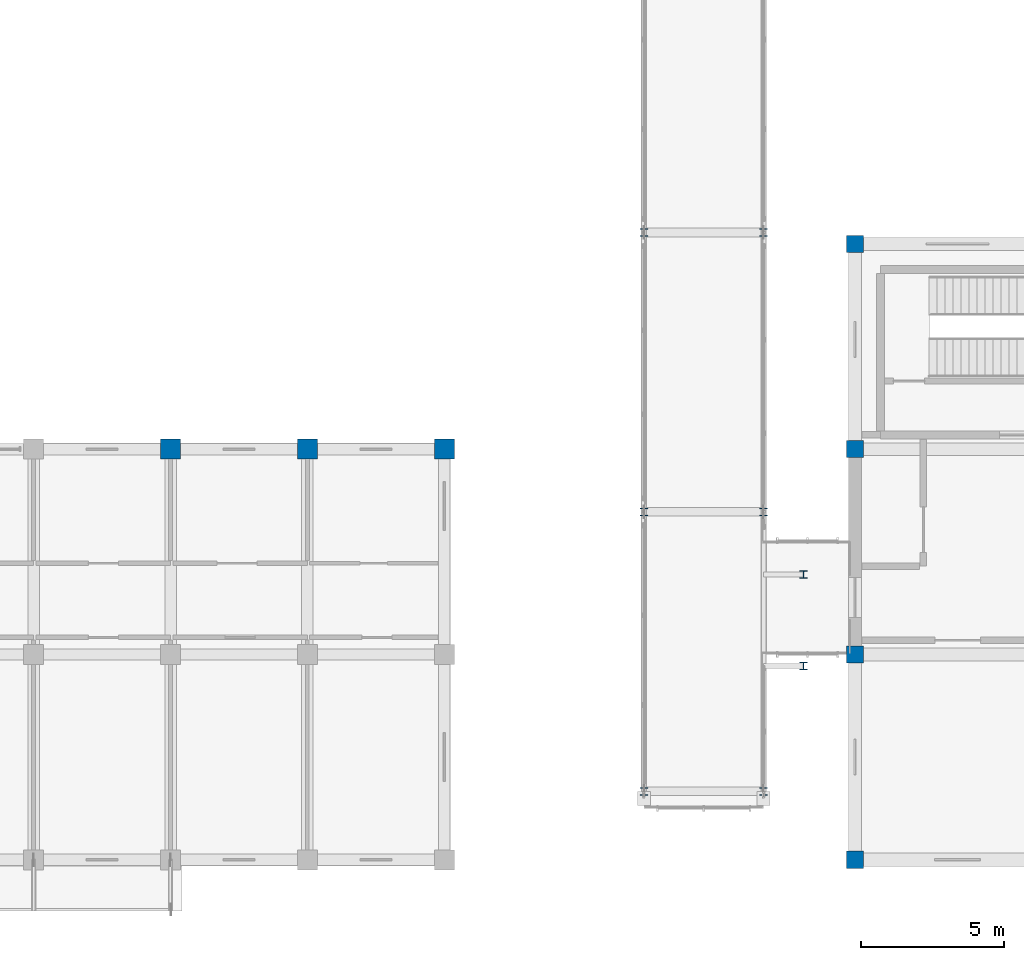
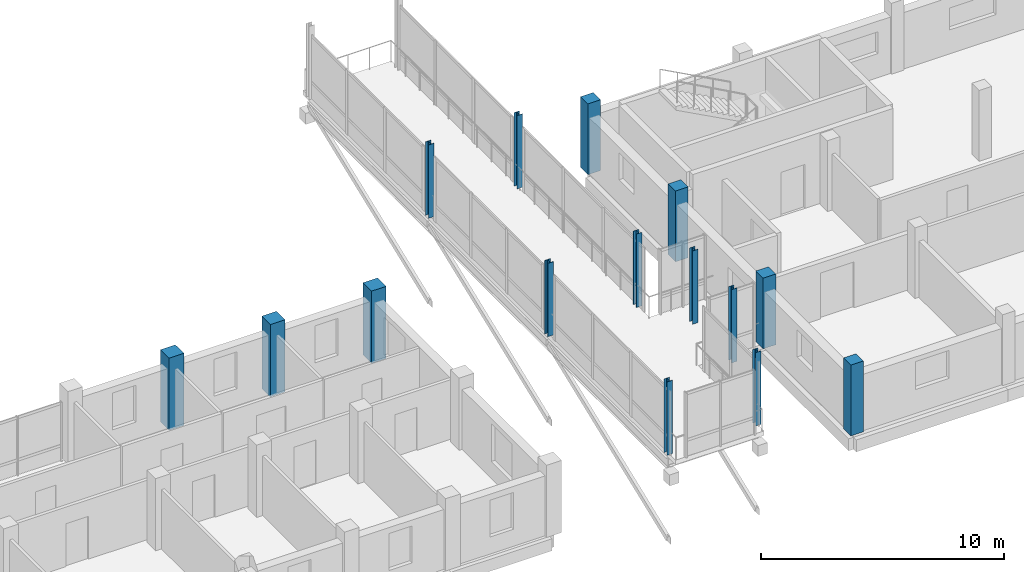
# One storey, part 2 of 128: 15 columns.
"""IFC4 building model written with IfcOpenShell, lengths in metres."""

import ifcopenshell
import ifcopenshell.guid

model = None  # the IFC model being written
_history = None  # IfcOwnerHistory: only IFC2X3 demands one
_inside = {}  # id of a spatial element -> (the spatial element, [elements in it])
_under = {}  # id of a project, library or spatial element -> (it, [spatial elements below it])
_declared = {}  # id of a project -> (the project, [libraries it declares])
_typed = {}  # id of a type object -> (the type object, [elements of that type])
_made_of = {}  # id of a material, layer set ... -> (it, [elements and type objects made of it])


def new_model(schema):
    """Start an empty IFC model of exactly this schema.

    Asked for "IFC4X3", IfcOpenShell would pick the latest addendum, in which some entities
    have other attributes; the version numbers below select the first issue.
    IFC2X3 requires an IfcOwnerHistory on every rooted entity: one is made here for all.
    """
    global model, _history
    if schema == "IFC4X3":
        model = ifcopenshell.file(schema_version=(4, 3, 0, 0))
    else:
        model = ifcopenshell.file(schema=schema)
    _inside.clear()
    _under.clear()
    _declared.clear()
    _typed.clear()
    _made_of.clear()
    _history = None
    if model.schema == "IFC2X3":
        org = make("IfcOrganization", Name="unknown")
        user = make(
            "IfcPersonAndOrganization",
            ThePerson=make("IfcPerson", FamilyName="unknown"),
            TheOrganization=org,
        )
        app = make(
            "IfcApplication",
            ApplicationDeveloper=org,
            Version="unknown",
            ApplicationFullName="unknown",
            ApplicationIdentifier="unknown",
        )
        _history = make(
            "IfcOwnerHistory",
            OwningUser=user,
            OwningApplication=app,
            ChangeAction="ADDED",
            CreationDate=0,
        )
    return model


def make(cls, **values):
    """One entity of the class cls with the attributes given. An attribute that is None is left unset."""
    return model.create_entity(
        cls, **{name: value for name, value in values.items() if value is not None}
    )


def rooted(cls, **values):
    """An entity with a GlobalId (a new one), such as an element, a storey or a relation."""
    return make(cls, GlobalId=ifcopenshell.guid.new(), OwnerHistory=_history, **values)


def si_unit(unit_type, name, prefix=None):
    """IfcSIUnit, for example si_unit("LENGTHUNIT", "METRE", prefix="MILLI")."""
    return make("IfcSIUnit", UnitType=unit_type, Prefix=prefix, Name=name)


def assignment(units):
    """IfcUnitAssignment: the units of a project."""
    return None if units is None else make("IfcUnitAssignment", Units=units)


def point(xyz):
    """IfcCartesianPoint."""
    return None if xyz is None else make("IfcCartesianPoint", Coordinates=xyz)


def direction(xyz):
    """IfcDirection."""
    return None if xyz is None else make("IfcDirection", DirectionRatios=xyz)


def frame(location, z_axis=None, x_axis=None):
    """IfcAxis2Placement3D, a coordinate frame: its origin and axes. An axis left out is left unset."""
    return make(
        "IfcAxis2Placement3D",
        Location=point(location),
        Axis=direction(z_axis),
        RefDirection=direction(x_axis),
    )


def frame_2d(location, x_axis=None):
    """IfcAxis2Placement2D, a coordinate frame in the plane: its origin and x axis."""
    return make(
        "IfcAxis2Placement2D", Location=point(location), RefDirection=direction(x_axis)
    )


def origin():
    """The frame at (0, 0, 0) with its axes left unset."""
    return frame((0.0, 0.0, 0.0))


def origin_2d():
    """The frame at (0, 0) in the plane with its x axis left unset."""
    return frame_2d((0.0, 0.0))


def place(relative_to, where):
    """IfcLocalPlacement: puts the frame where relative to a parent placement (None: the world)."""
    return make(
        "IfcLocalPlacement", PlacementRelTo=relative_to, RelativePlacement=where
    )


def context(
    kind, dimensions, precision=None, world=None, true_north=None, identifier=None
):
    """IfcGeometricRepresentationContext, for example the 3D "Model" context."""
    return make(
        "IfcGeometricRepresentationContext",
        ContextIdentifier=identifier,
        ContextType=kind,
        CoordinateSpaceDimension=dimensions,
        Precision=precision,
        WorldCoordinateSystem=world,
        TrueNorth=true_north,
    )


def subcontext(parent, identifier, kind, view, scale=None):
    """IfcGeometricRepresentationSubContext, for example "Body" below "Model"."""
    return make(
        "IfcGeometricRepresentationSubContext",
        ContextIdentifier=identifier,
        ContextType=kind,
        ParentContext=parent,
        TargetScale=scale,
        TargetView=view,
    )


def project(units=None, contexts=None):
    """IfcProject with its units and contexts."""
    return rooted(
        "IfcProject",
        Name="project",
        RepresentationContexts=contexts,
        UnitsInContext=assignment(units),
    )


def spatial(cls, under=None, at=None, **own):
    """A site, building, storey or space (cls), placed at a placement, below another one or the project."""
    s = rooted(cls, ObjectPlacement=at, **own)
    if under is not None:
        _under.setdefault(under.id(), (under, []))[1].append(s)
    return s


def profile(cls, at=None, kind="AREA", **sizes):
    """A parametric profile (cls). Its sizes go by their IFC names, for example OverallWidth=200.0."""
    return make(cls, ProfileType=kind, Position=at, **sizes)


def rectangle(**sizes):
    """IfcRectangleProfileDef."""
    return profile("IfcRectangleProfileDef", **sizes)


def i_section(**sizes):
    """IfcIShapeProfileDef."""
    return profile("IfcIShapeProfileDef", **sizes)


def extrude(swept, where, along, depth):
    """IfcExtrudedAreaSolid: the profile swept, set in the frame where, extruded along a direction by depth."""
    return make(
        "IfcExtrudedAreaSolid",
        SweptArea=swept,
        Position=where,
        ExtrudedDirection=direction(along),
        Depth=depth,
    )


def shape(context_of_items, identifier, shape_type, items):
    """IfcShapeRepresentation: the items that make up one representation, for example the "Body"."""
    return make(
        "IfcShapeRepresentation",
        ContextOfItems=context_of_items,
        RepresentationIdentifier=identifier,
        RepresentationType=shape_type,
        Items=items,
    )


def material(Name=None, Category=None):
    """IfcMaterial."""
    return make("IfcMaterial", Name=Name, Category=Category)


def material_profile(
    of_material, cross_section, Name=None, Category=None, Priority=None
):
    """IfcMaterialProfile: a cross section and its material."""
    return make(
        "IfcMaterialProfile",
        Name=Name,
        Material=of_material,
        Profile=cross_section,
        Priority=Priority,
        Category=Category,
    )


def profile_set(profiles, Name=None, composite=None):
    """IfcMaterialProfileSet."""
    return make(
        "IfcMaterialProfileSet",
        Name=Name,
        MaterialProfiles=profiles,
        CompositeProfile=composite,
    )


def made_of(thing, what):
    """Note that an element or type object is made of a material, layer set ...; save() writes the relation."""
    if what is not None:
        _made_of.setdefault(what.id(), (what, []))[1].append(thing)
    return thing


def type_object(cls, material=None, **own):
    """A type object (cls), such as IfcWallType, which elements share."""
    return made_of(rooted(cls, **own), material)


def element(
    cls,
    number,
    at=None,
    inside=None,
    cuts=None,
    type_object=None,
    material=None,
    context=None,
    identifier="Body",
    shape_type=None,
    held_by="IfcProductDefinitionShape",
    body=None,
    shapes=None,
    **own,
):
    """One element of the class cls, such as IfcWall. Its Tag is "e" and its number.

    at: its placement. inside: the storey or other place that contains it. cuts: it is an
    opening in that element (IfcRelVoidsElement). A single representation is given by context,
    identifier, shape_type and body (its items); several are given by shapes. held_by: the class
    of the entity that holds the representations. save() writes the other relations.
    """
    e = rooted(cls, Tag="e%d" % number, ObjectPlacement=at, **own)
    if body is not None:
        shapes = [shape(context, identifier, shape_type, body)]
    if shapes is not None:
        e.Representation = make(held_by, Representations=shapes)
    if inside is not None:
        _inside.setdefault(inside.id(), (inside, []))[1].append(e)
    if cuts is not None:
        rooted(
            "IfcRelVoidsElement", RelatingBuildingElement=cuts, RelatedOpeningElement=e
        )
    if type_object is not None:
        _typed.setdefault(type_object.id(), (type_object, []))[1].append(e)
    return made_of(e, material)


def aggregate(whole, parts):
    """IfcRelAggregates: a whole, such as a stair, and the parts it consists of."""
    return rooted("IfcRelAggregates", RelatingObject=whole, RelatedObjects=parts)


def save(model, path):
    """Write the relations noted so far, then the file.

    IfcRelAggregates (storeys below a building ...), IfcRelContainedInSpatialStructure (elements
    in a storey), IfcRelDefinesByType, IfcRelAssociatesMaterial and IfcRelDeclares: one each for
    every whole, place, type object, material and project.
    """
    for whole, parts in _under.values():
        aggregate(whole, parts)
    for where, things in _inside.values():
        rooted(
            "IfcRelContainedInSpatialStructure",
            RelatedElements=things,
            RelatingStructure=where,
        )
    for kind, things in _typed.values():
        rooted("IfcRelDefinesByType", RelatedObjects=things, RelatingType=kind)
    for what, things in _made_of.values():
        rooted("IfcRelAssociatesMaterial", RelatedObjects=things, RelatingMaterial=what)
    for by, libraries in _declared.values():
        rooted("IfcRelDeclares", RelatingContext=by, RelatedDefinitions=libraries)
    model.write(path)


model = new_model("IFC4")

# Units and contexts
model_context = context("Model", 3, precision=1e-05, world=origin(), true_north=direction((0.0, 1.0)))
body_context = subcontext(model_context, "Body", "Model", "MODEL_VIEW")
ifc_project = project(units=[si_unit("LENGTHUNIT", "METRE"), si_unit("AREAUNIT", "SQUARE_METRE"), si_unit("VOLUMEUNIT", "CUBIC_METRE"), si_unit("PLANEANGLEUNIT", "RADIAN"), si_unit("MASSUNIT", "GRAM", prefix="KILO")], contexts=[model_context])

# Site, building, storey
site_placement = place(None, origin())
site = spatial("IfcSite", under=ifc_project, at=site_placement, CompositionType="ELEMENT")
building_placement = place(site_placement, origin())
building = spatial("IfcBuilding", under=site, at=building_placement, Name="Zornivar Specialist Clinic", CompositionType="ELEMENT")
storey_placement = place(building_placement, frame((0.0, 0.0, 4.5)))
storey = spatial("IfcBuildingStorey", under=building, at=storey_placement, Name="L01", CompositionType="ELEMENT", Elevation=4.5)

# Columns
ifc_material_1 = material(Name="Concrete C35/45", Category="concrete")
ifc_material_profile_1 = material_profile(ifc_material_1, rectangle(XDim=0.60009765625, YDim=0.60009765625, at=origin_2d()), Name="RC 600x600")
ifc_profile_set_1 = profile_set([ifc_material_profile_1], Name="Concrete C35/45")
column_type_1 = type_object("IfcColumnType", Name="COL-RC-600", PredefinedType="COLUMN", material=ifc_profile_set_1)
for number, where, z_axis, x_axis, name in (
    (1, (57.60009765625, 0.0, 0.0), (0.0, 0.0, 1.0), (1.0, 0.0, 0.0), "col:V3:L01:576_0"),
    (2, (57.60009765625, 7.199951171875, 0.0), (0.0, 0.0, 1.0), (1.0, 0.0, 0.0), "col:V3:L01:576_72"),
    (3, (57.60009765625, 14.39990234375, 0.0), (0.0, 0.0, 1.0), (1.0, 0.0, 0.0), "col:V3:L01:576_144"),
    (4, (57.60009765625, 21.60009765625, 0.0), (0.0, 0.0, 1.0), (1.0, 0.0, 0.0), "col:V3:L01:576_216"),
):
    element("IfcColumn", number, at=place(storey_placement, frame(where, z_axis=z_axis, x_axis=x_axis)), inside=storey, type_object=column_type_1, Name=name, PredefinedType="COLUMN", context=body_context, shape_type="SweptSolid", body=[
        extrude(rectangle(XDim=0.60009765625, YDim=0.60009765625, at=origin_2d()), origin(), (0.0, 0.0, 1.0), 3.550048828125),
    ])
ifc_material_2 = material(Name="Concrete C35/45", Category="concrete")
ifc_material_profile_2 = material_profile(ifc_material_2, rectangle(XDim=0.699951171875, YDim=0.699951171875, at=origin_2d()), Name="RC 700x700")
ifc_profile_set_2 = profile_set([ifc_material_profile_2], Name="Concrete C35/45")
column_type_2 = type_object("IfcColumnType", Name="COL-RC-700", PredefinedType="COLUMN", material=ifc_profile_set_2)
for number, where, z_axis, x_axis, name in (
    (5, (33.60009765625, 14.39990234375, 0.0), (0.0, 0.0, 1.0), (1.0, 0.0, 0.0), "col:V2:L01:336_144"),
    (6, (38.39990234375, 14.39990234375, 0.0), (0.0, 0.0, 1.0), (1.0, 0.0, 0.0), "col:V2:L01:384_144"),
    (7, (43.199951171875, 14.39990234375, 0.0), (0.0, 0.0, 1.0), (1.0, 0.0, 0.0), "col:V2:L01:432_144"),
):
    element("IfcColumn", number, at=place(storey_placement, frame(where, z_axis=z_axis, x_axis=x_axis)), inside=storey, type_object=column_type_2, Name=name, PredefinedType="COLUMN", context=body_context, shape_type="SweptSolid", body=[
        extrude(rectangle(XDim=0.699951171875, YDim=0.699951171875, at=origin_2d()), origin(), (0.0, 0.0, 1.0), 3.6201171875),
    ])
ifc_material_3 = material(Name="Steel S355J2", Category="steel")
ifc_material_profile_3 = material_profile(ifc_material_3, i_section(OverallWidth=0.260009765625, OverallDepth=0.260009765625, WebThickness=0.010009765625, FlangeThickness=0.017578125, FilletRadius=0.02392578125, at=origin_2d()), Name="HEB 260")
ifc_profile_set_3 = profile_set([ifc_material_profile_3], Name="Steel S355J2")
column_type_3 = type_object("IfcColumnType", Name="COL-STL-HEB260", PredefinedType="COLUMN", material=ifc_profile_set_3)
for number, where, z_axis, x_axis, name in (
    (8, (50.199951171875, 2.39990234375, 0.0), (0.0, 0.0, 1.0), (1.0, 0.0, 0.0), "col:BR1:L01:502_24"),
    (9, (50.199951171875, 12.199951171875, 0.0), (0.0, 0.0, 1.0), (1.0, 0.0, 0.0), "col:BR1:L01:502_122"),
    (10, (50.199951171875, 22.0, 0.0), (0.0, 0.0, 1.0), (1.0, 0.0, 0.0), "col:BR1:L01:502_220"),
    (11, (54.39990234375, 2.39990234375, 0.0), (0.0, 0.0, 1.0), (1.0, 0.0, 0.0), "col:BR1:L01:544_24"),
    (12, (54.39990234375, 12.199951171875, 0.0), (0.0, 0.0, 1.0), (1.0, 0.0, 0.0), "col:BR1:L01:544_122"),
    (13, (54.39990234375, 22.0, 0.0), (0.0, 0.0, 1.0), (1.0, 0.0, 0.0), "col:BR1:L01:544_220"),
    (14, (55.800048828125, 6.800048828125, 0.0), (0.0, 0.0, 1.0), (1.0, 0.0, 0.0), "col:BR1:L01:558_68"),
    (15, (55.800048828125, 10.0, 0.0), (0.0, 0.0, 1.0), (1.0, 0.0, 0.0), "col:BR1:L01:558_100"),
):
    element("IfcColumn", number, at=place(storey_placement, frame(where, z_axis=z_axis, x_axis=x_axis)), inside=storey, type_object=column_type_3, Name=name, PredefinedType="COLUMN", context=body_context, shape_type="SweptSolid", body=[
        extrude(i_section(OverallWidth=0.260009765625, OverallDepth=0.260009765625, WebThickness=0.010009765625, FlangeThickness=0.017578125, FilletRadius=0.02392578125, at=origin_2d()), origin(), (0.0, 0.0, 1.0), 3.679931640625),
    ])

save(model, "model.ifc")
